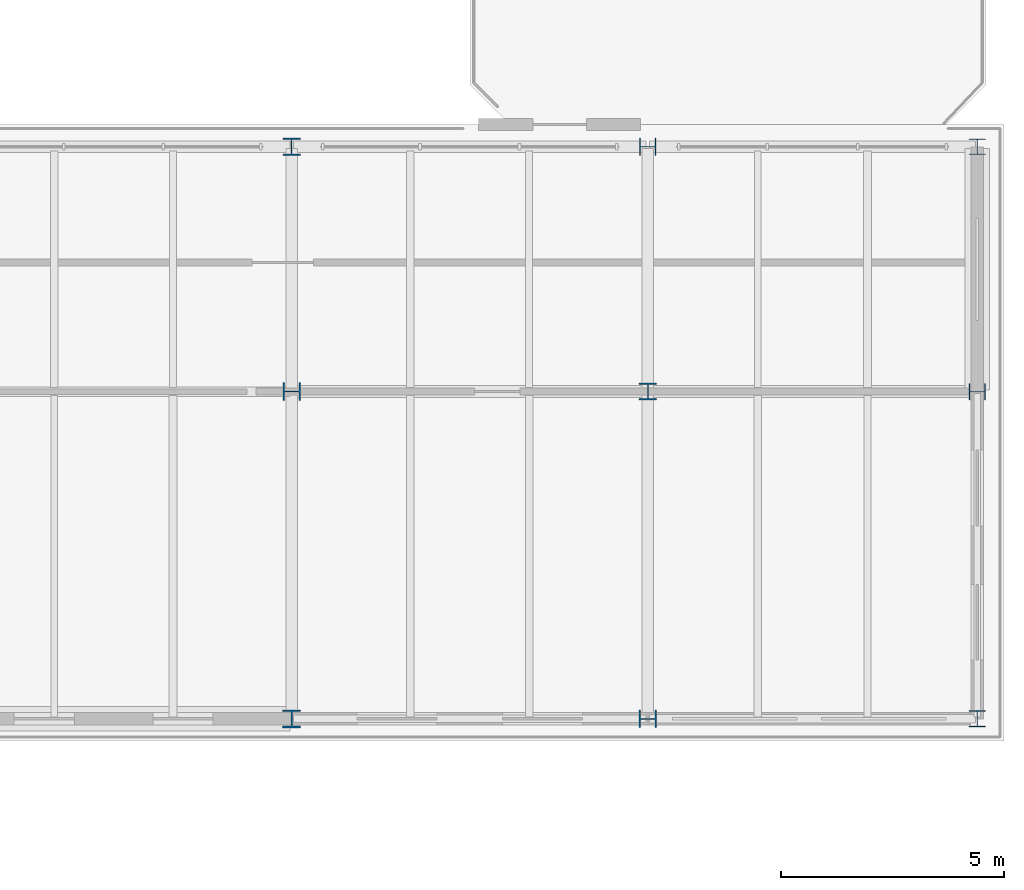
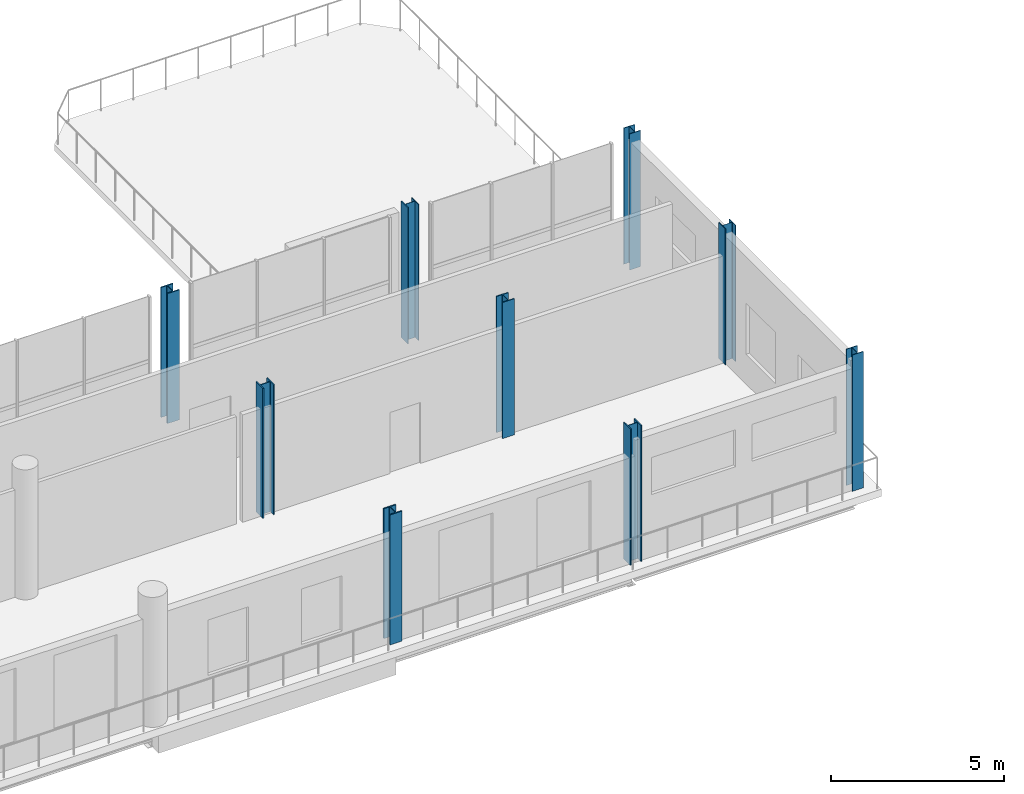
# One storey, part 13 of 51: 9 columns.
"""IFC4 building model written with IfcOpenShell, lengths in metres."""

from ifc_helpers import new_model, si_unit, direction, frame, origin, origin_2d, place, context, subcontext, project, spatial, i_section, extrude, material, material_profile, profile_set, type_object, element, save


model = new_model("IFC4")

# Units and contexts
model_context = context("Model", 3, precision=1e-05, world=origin(), true_north=direction((0.0, 1.0)))
body_context = subcontext(model_context, "Body", "Model", "MODEL_VIEW")
ifc_project = project(units=[si_unit("LENGTHUNIT", "METRE"), si_unit("AREAUNIT", "SQUARE_METRE"), si_unit("VOLUMEUNIT", "CUBIC_METRE"), si_unit("PLANEANGLEUNIT", "RADIAN"), si_unit("MASSUNIT", "GRAM", prefix="KILO")], contexts=[model_context])

# Site, building, storey
site_placement = place(None, origin())
site = spatial("IfcSite", under=ifc_project, at=site_placement, CompositionType="ELEMENT")
building_placement = place(site_placement, origin())
building = spatial("IfcBuilding", under=site, at=building_placement, Name="Brisemont Oceanarium", CompositionType="ELEMENT")
storey_placement = place(building_placement, frame((0.0, 0.0, 15.0)))
storey = spatial("IfcBuildingStorey", under=building, at=storey_placement, Name="L03", CompositionType="ELEMENT", Elevation=15.0)

# Columns
ifc_material_1 = material(Name="Structural Steel ASTM A992 Gr.50", Category="steel")
ifc_material_profile_1 = material_profile(ifc_material_1, i_section(OverallWidth=0.37109375, OverallDepth=0.364013671875, WebThickness=0.01318359375, FlangeThickness=0.021728515625, FilletRadius=0.014892578125, at=origin_2d()), Name="W14X109")
ifc_profile_set_1 = profile_set([ifc_material_profile_1], Name="Structural Steel ASTM A992 Gr.50")
column_type_1 = type_object("IfcColumnType", Name="COL-W14X109", PredefinedType="COLUMN", material=ifc_profile_set_1)
column_1_placement = place(storey_placement, frame((159.39990234375, 80.64990234375, 0.0), z_axis=(0.0, 0.0, 1.0), x_axis=(1.0, 0.0, 0.0)))
element("IfcColumn", 1, at=column_1_placement, inside=storey, type_object=column_type_1, Name="V6 L03 column (6,0)", PredefinedType="COLUMN", context=body_context, shape_type="SweptSolid", body=[
    extrude(i_section(OverallWidth=0.37109375, OverallDepth=0.364013671875, WebThickness=0.01318359375, FlangeThickness=0.021728515625, FilletRadius=0.014892578125, at=origin_2d()), origin(), (0.0, 0.0, 1.0), 4.800048828125),
])
ifc_material_2 = material(Name="Structural Steel ASTM A992 Gr.50", Category="steel")
ifc_material_profile_2 = material_profile(ifc_material_2, i_section(OverallWidth=0.39404296875, OverallDepth=0.3759765625, WebThickness=0.017333984375, FlangeThickness=0.027587890625, FilletRadius=0.014892578125, at=origin_2d()), Name="W14X145")
ifc_profile_set_2 = profile_set([ifc_material_profile_2], Name="Structural Steel ASTM A992 Gr.50")
column_type_2 = type_object("IfcColumnType", Name="COL-W14X145", PredefinedType="COLUMN", material=ifc_profile_set_2)
column_2_placement = place(storey_placement, frame((152.0, 93.5, 0.0), z_axis=(0.0, 0.0, 1.0), x_axis=(0.0, 1.0, 0.0)))
element("IfcColumn", 2, at=column_2_placement, inside=storey, type_object=column_type_2, Name="V6 L03 column (5,2)", PredefinedType="COLUMN", context=body_context, shape_type="SweptSolid", body=[
    extrude(i_section(OverallWidth=0.39404296875, OverallDepth=0.3759765625, WebThickness=0.017333984375, FlangeThickness=0.027587890625, FilletRadius=0.014892578125, at=origin_2d()), origin(), (0.0, 0.0, 1.0), 4.800048828125),
])
ifc_material_3 = material(Name="Structural Steel ASTM A992 Gr.50", Category="steel")
ifc_material_profile_3 = material_profile(ifc_material_3, i_section(OverallWidth=0.39501953125, OverallDepth=0.3798828125, WebThickness=0.018798828125, FlangeThickness=0.0302734375, FilletRadius=0.014892578125, at=origin_2d()), Name="W14X159")
ifc_profile_set_3 = profile_set([ifc_material_profile_3], Name="Structural Steel ASTM A992 Gr.50")
column_type_3 = type_object("IfcColumnType", Name="COL-W14X159", PredefinedType="COLUMN", material=ifc_profile_set_3)
column_3_placement = place(storey_placement, frame((152.0, 88.0, 0.0), z_axis=(0.0, 0.0, 1.0), x_axis=(1.0, 0.0, 0.0)))
element("IfcColumn", 3, at=column_3_placement, inside=storey, type_object=column_type_3, Name="V6 L03 column (5,1)", PredefinedType="COLUMN", context=body_context, shape_type="SweptSolid", body=[
    extrude(i_section(OverallWidth=0.39501953125, OverallDepth=0.3798828125, WebThickness=0.018798828125, FlangeThickness=0.0302734375, FilletRadius=0.014892578125, at=origin_2d()), origin(), (0.0, 0.0, 1.0), 4.800048828125),
])
ifc_material_4 = material(Name="Structural Steel ASTM A992 Gr.50", Category="steel")
ifc_material_profile_4 = material_profile(ifc_material_4, i_section(OverallWidth=0.39892578125, OverallDepth=0.385986328125, WebThickness=0.02099609375, FlangeThickness=0.033203125, FilletRadius=0.014892578125, at=origin_2d()), Name="W14X176")
ifc_profile_set_4 = profile_set([ifc_material_profile_4], Name="Structural Steel ASTM A992 Gr.50")
column_type_4 = type_object("IfcColumnType", Name="COL-W14X176", PredefinedType="COLUMN", material=ifc_profile_set_4)
column_4_placement = place(storey_placement, frame((152.0, 80.64990234375, 0.0), z_axis=(0.0, 0.0, 1.0), x_axis=(0.0, 1.0, 0.0)))
element("IfcColumn", 4, at=column_4_placement, inside=storey, type_object=column_type_4, Name="V6 L03 column (5,0)", PredefinedType="COLUMN", context=body_context, shape_type="SweptSolid", body=[
    extrude(i_section(OverallWidth=0.39892578125, OverallDepth=0.385986328125, WebThickness=0.02099609375, FlangeThickness=0.033203125, FilletRadius=0.014892578125, at=origin_2d()), origin(), (0.0, 0.0, 1.0), 4.800048828125),
])
ifc_material_5 = material(Name="Structural Steel ASTM A992 Gr.50", Category="steel")
ifc_material_profile_5 = material_profile(ifc_material_5, i_section(OverallWidth=0.39990234375, OverallDepth=0.39306640625, WebThickness=0.022705078125, FlangeThickness=0.03662109375, FilletRadius=0.014892578125, at=origin_2d()), Name="W14X193")
ifc_profile_set_5 = profile_set([ifc_material_profile_5], Name="Structural Steel ASTM A992 Gr.50")
column_type_5 = type_object("IfcColumnType", Name="COL-W14X193", PredefinedType="COLUMN", material=ifc_profile_set_5)
column_5_placement = place(storey_placement, frame((144.0, 93.5, 0.0), z_axis=(0.0, 0.0, 1.0), x_axis=(1.0, 0.0, 0.0)))
element("IfcColumn", 5, at=column_5_placement, inside=storey, type_object=column_type_5, Name="V6 L03 column (4,2)", PredefinedType="COLUMN", context=body_context, shape_type="SweptSolid", body=[
    extrude(i_section(OverallWidth=0.39990234375, OverallDepth=0.39306640625, WebThickness=0.022705078125, FlangeThickness=0.03662109375, FilletRadius=0.014892578125, at=origin_2d()), origin(), (0.0, 0.0, 1.0), 4.580078125),
])
ifc_material_6 = material(Name="Structural Steel ASTM A992 Gr.50", Category="steel")
ifc_material_profile_6 = material_profile(ifc_material_6, i_section(OverallWidth=0.40087890625, OverallDepth=0.39892578125, WebThickness=0.02490234375, FlangeThickness=0.03955078125, FilletRadius=0.014892578125, at=origin_2d()), Name="W14X211")
ifc_profile_set_6 = profile_set([ifc_material_profile_6], Name="Structural Steel ASTM A992 Gr.50")
column_type_6 = type_object("IfcColumnType", Name="COL-W14X211", PredefinedType="COLUMN", material=ifc_profile_set_6)
column_6_placement = place(storey_placement, frame((144.0, 88.0, 0.0), z_axis=(0.0, 0.0, 1.0), x_axis=(0.0, 1.0, 0.0)))
element("IfcColumn", 6, at=column_6_placement, inside=storey, type_object=column_type_6, Name="V6 L03 column (4,1)", PredefinedType="COLUMN", context=body_context, shape_type="SweptSolid", body=[
    extrude(i_section(OverallWidth=0.40087890625, OverallDepth=0.39892578125, WebThickness=0.02490234375, FlangeThickness=0.03955078125, FilletRadius=0.014892578125, at=origin_2d()), origin(), (0.0, 0.0, 1.0), 4.580078125),
])
ifc_material_7 = material(Name="Structural Steel ASTM A992 Gr.50", Category="steel")
ifc_material_profile_7 = material_profile(ifc_material_7, i_section(OverallWidth=0.404052734375, OverallDepth=0.406982421875, WebThickness=0.027099609375, FlangeThickness=0.043701171875, FilletRadius=0.014892578125, at=origin_2d()), Name="W14X233")
ifc_profile_set_7 = profile_set([ifc_material_profile_7], Name="Structural Steel ASTM A992 Gr.50")
column_type_7 = type_object("IfcColumnType", Name="COL-W14X233", PredefinedType="COLUMN", material=ifc_profile_set_7)
column_7_placement = place(storey_placement, frame((144.0, 80.64990234375, 0.0), z_axis=(0.0, 0.0, 1.0), x_axis=(1.0, 0.0, 0.0)))
element("IfcColumn", 7, at=column_7_placement, inside=storey, type_object=column_type_7, Name="V6 L03 column (4,0)", PredefinedType="COLUMN", context=body_context, shape_type="SweptSolid", body=[
    extrude(i_section(OverallWidth=0.404052734375, OverallDepth=0.406982421875, WebThickness=0.027099609375, FlangeThickness=0.043701171875, FilletRadius=0.014892578125, at=origin_2d()), origin(), (0.0, 0.0, 1.0), 4.580078125),
])
ifc_material_8 = material(Name="Structural Steel ASTM A992 Gr.50", Category="steel")
ifc_material_profile_8 = material_profile(ifc_material_8, i_section(OverallWidth=0.367919921875, OverallDepth=0.35595703125, WebThickness=0.01123046875, FlangeThickness=0.01806640625, FilletRadius=0.014892578125, at=origin_2d()), Name="W14X90")
ifc_profile_set_8 = profile_set([ifc_material_profile_8], Name="Structural Steel ASTM A992 Gr.50")
column_type_8 = type_object("IfcColumnType", Name="COL-W14X90", PredefinedType="COLUMN", material=ifc_profile_set_8)
column_8_placement = place(storey_placement, frame((159.39990234375, 93.5, 0.0), z_axis=(0.0, 0.0, 1.0), x_axis=(1.0, 0.0, 0.0)))
element("IfcColumn", 8, at=column_8_placement, inside=storey, type_object=column_type_8, Name="V6 L03 column (6,2)", PredefinedType="COLUMN", context=body_context, shape_type="SweptSolid", body=[
    extrude(i_section(OverallWidth=0.367919921875, OverallDepth=0.35595703125, WebThickness=0.01123046875, FlangeThickness=0.01806640625, FilletRadius=0.014892578125, at=origin_2d()), origin(), (0.0, 0.0, 1.0), 4.800048828125),
])
ifc_material_9 = material(Name="Structural Steel ASTM A992 Gr.50", Category="steel")
ifc_material_profile_9 = material_profile(ifc_material_9, i_section(OverallWidth=0.37109375, OverallDepth=0.361083984375, WebThickness=0.01220703125, FlangeThickness=0.019775390625, FilletRadius=0.014892578125, at=origin_2d()), Name="W14X99")
ifc_profile_set_9 = profile_set([ifc_material_profile_9], Name="Structural Steel ASTM A992 Gr.50")
column_type_9 = type_object("IfcColumnType", Name="COL-W14X99", PredefinedType="COLUMN", material=ifc_profile_set_9)
column_9_placement = place(storey_placement, frame((159.39990234375, 88.0, 0.0), z_axis=(0.0, 0.0, 1.0), x_axis=(0.0, 1.0, 0.0)))
element("IfcColumn", 9, at=column_9_placement, inside=storey, type_object=column_type_9, Name="V6 L03 column (6,1)", PredefinedType="COLUMN", context=body_context, shape_type="SweptSolid", body=[
    extrude(i_section(OverallWidth=0.37109375, OverallDepth=0.361083984375, WebThickness=0.01220703125, FlangeThickness=0.019775390625, FilletRadius=0.014892578125, at=origin_2d()), origin(), (0.0, 0.0, 1.0), 4.800048828125),
])

save(model, "model.ifc")
